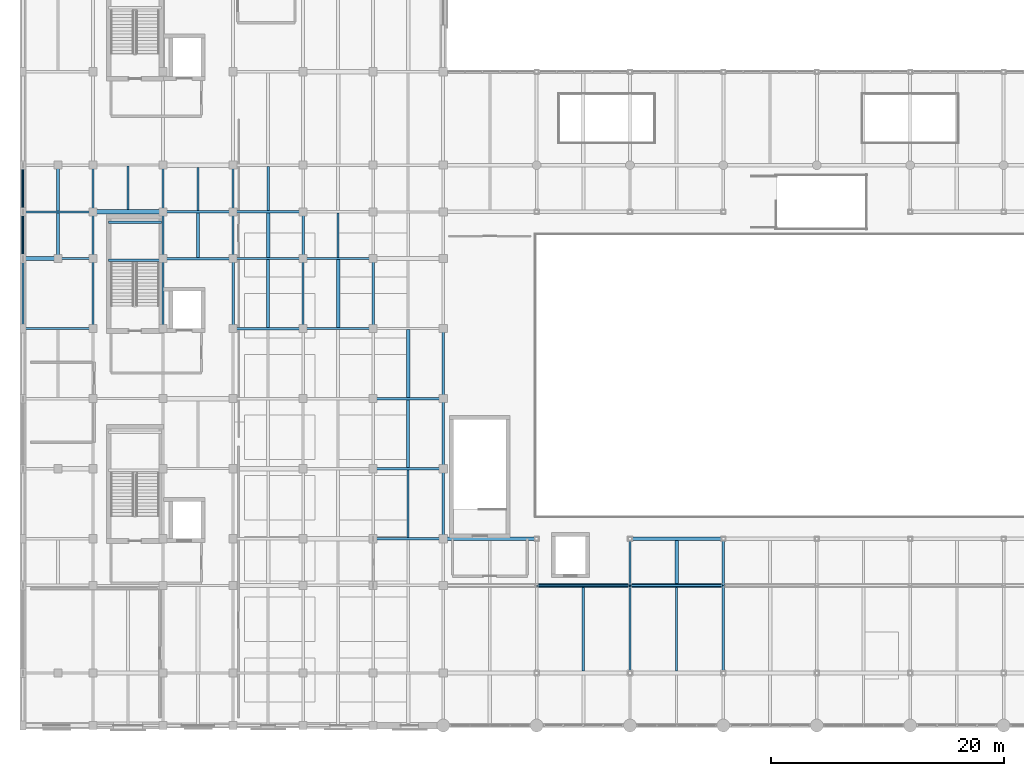
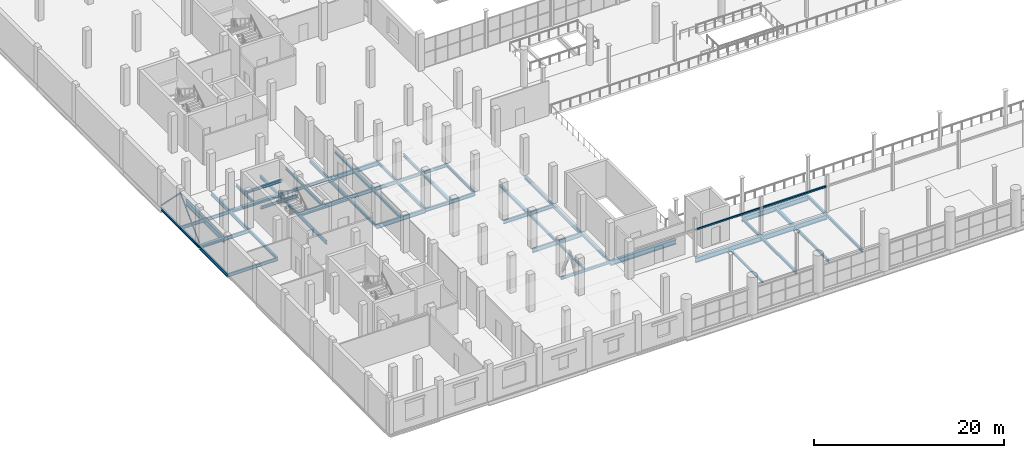
# One storey, part 19 of 114: 60 beams, 2 members.
"""IFC4 building model written with IfcOpenShell, lengths in metres."""

from ifc_helpers import new_model, si_unit, direction, frame, origin, origin_2d, place, context, subcontext, project, spatial, hollow_rectangle, hollow_circle, i_section, extrude, material, material_profile, profile_set, type_object, element, save


model = new_model("IFC4")

# Units and contexts
model_context = context("Model", 3, precision=1e-05, world=origin(), true_north=direction((0.0, 1.0)))
body_context = subcontext(model_context, "Body", "Model", "MODEL_VIEW")
ifc_project = project(units=[si_unit("LENGTHUNIT", "METRE"), si_unit("AREAUNIT", "SQUARE_METRE"), si_unit("VOLUMEUNIT", "CUBIC_METRE"), si_unit("PLANEANGLEUNIT", "RADIAN"), si_unit("MASSUNIT", "GRAM", prefix="KILO")], contexts=[model_context])

# Site, building, storey
site_placement = place(None, origin())
site = spatial("IfcSite", under=ifc_project, at=site_placement, CompositionType="ELEMENT")
building_placement = place(site_placement, origin())
building = spatial("IfcBuilding", under=site, at=building_placement, Name="Verrall Gate Interchange", CompositionType="ELEMENT")
storey_placement = place(building_placement, frame((0.0, 0.0, 6.60009765625)))
storey = spatial("IfcBuildingStorey", under=building, at=storey_placement, Name="L02", CompositionType="ELEMENT", Elevation=6.60009765625)

# Beams
ifc_material_1 = material(Name="Structural Steel CSA G40.21 350WT Cat 4", Category="steel")
ifc_material_profile_1 = material_profile(ifc_material_1, i_section(OverallWidth=0.256103515625, OverallDepth=0.693115234375, WebThickness=0.01318359375, FlangeThickness=0.02001953125, FilletRadius=0.01611328125, at=origin_2d()), Name="W690x170")
ifc_profile_set_1 = profile_set([ifc_material_profile_1], Name="Structural Steel CSA G40.21 350WT Cat 4")
beam_type_1 = type_object("IfcBeamType", Name="B-07 Structural Beam W690x170", PredefinedType="BEAM", material=ifc_profile_set_1)
beam_1_placement = place(storey_placement, frame((3.0, 40.0, -0.626708984375), z_axis=(0.0, 1.0, 0.0), x_axis=(-1.0, 0.0, 0.0)))
element("IfcBeam", 1, at=beam_1_placement, inside=storey, type_object=beam_type_1, Name="L02 Girder BM-L02-1647 (B-07)", PredefinedType="BEAM", context=body_context, shape_type="SweptSolid", body=[
    extrude(i_section(OverallWidth=0.256103515625, OverallDepth=0.693115234375, WebThickness=0.01318359375, FlangeThickness=0.02001953125, FilletRadius=0.01611328125, at=origin_2d()), origin(), (0.0, 0.0, 1.0), 8.0),
])
ifc_material_2 = material(Name="Structural Steel CSA G40.21 350WT Cat 4", Category="steel")
ifc_material_profile_2 = material_profile(ifc_material_2, i_section(OverallWidth=0.323974609375, OverallDepth=0.611083984375, WebThickness=0.0126953125, FlangeThickness=0.01904296875, FilletRadius=0.014892578125, at=origin_2d()), Name="W610x155")
ifc_profile_set_2 = profile_set([ifc_material_profile_2], Name="Structural Steel CSA G40.21 350WT Cat 4")
beam_type_2 = type_object("IfcBeamType", Name="B-08 Structural Beam W610x155", PredefinedType="BEAM", material=ifc_profile_set_2)
for number, where, z_axis, x_axis, name in (
    (2, (44.0, 12.0, -0.585693359375), (1.0, 0.0, 0.0), (0.0, 1.0, 0.0), "L02 Girder BM-L02-1473 (B-08)"),
    (3, (52.0, 12.0, -0.585693359375), (1.0, 0.0, 0.0), (0.0, 1.0, 0.0), "L02 Girder BM-L02-1474 (B-08)"),
    (4, (36.0, 16.0, -0.585693359375), (1.0, 0.0, 0.0), (0.0, 1.0, 0.0), "L02 Girder BM-L02-1491 (B-08)"),
    (5, (52.0, 16.0, -0.585693359375), (1.0, 0.0, 0.0), (0.0, 1.0, 0.0), "L02 Girder BM-L02-1492 (B-08)"),
):
    element("IfcBeam", number, at=place(storey_placement, frame(where, z_axis=z_axis, x_axis=x_axis)), inside=storey, type_object=beam_type_2, Name=name, PredefinedType="BEAM", context=body_context, shape_type="SweptSolid", body=[
        extrude(i_section(OverallWidth=0.323974609375, OverallDepth=0.611083984375, WebThickness=0.0126953125, FlangeThickness=0.01904296875, FilletRadius=0.014892578125, at=origin_2d()), origin(), (0.0, 0.0, 1.0), 8.0),
    ])
ifc_material_3 = material(Name="Structural Steel CSA G40.21 350W", Category="steel")
ifc_material_profile_3 = material_profile(ifc_material_3, i_section(OverallWidth=0.2109375, OverallDepth=0.5390625, WebThickness=0.01171875, FlangeThickness=0.018798828125, FilletRadius=0.013916015625, at=origin_2d()), Name="W530x109")
ifc_profile_set_3 = profile_set([ifc_material_profile_3], Name="Structural Steel CSA G40.21 350W")
beam_type_3 = type_object("IfcBeamType", Name="B-10 Structural Beam W530x109", PredefinedType="BEAM", material=ifc_profile_set_3)
for number, where, z_axis, x_axis, name in (
    (6, (30.0, 22.0, -0.549560546875), (1.0, 0.0, 0.0), (0.0, 1.0, 0.0), "L02 Girder BM-L02-1509 (B-10)"),
    (7, (18.0, 34.0, -0.549560546875), (1.0, 0.0, 0.0), (0.0, 1.0, 0.0), "L02 Girder BM-L02-1527 (B-10)"),
    (8, (12.0, 40.0, -0.549560546875), (1.0, 0.0, 0.0), (0.0, 1.0, 0.0), "L02 Girder BM-L02-1536 (B-10)"),
    (9, (18.0, 44.0, -0.549560546875), (1.0, 0.0, 0.0), (0.0, 1.0, 0.0), "L02 Girder BM-L02-1548 (B-10)"),
):
    element("IfcBeam", number, at=place(storey_placement, frame(where, z_axis=z_axis, x_axis=x_axis)), inside=storey, type_object=beam_type_3, Name=name, PredefinedType="BEAM", context=body_context, shape_type="SweptSolid", body=[
        extrude(i_section(OverallWidth=0.2109375, OverallDepth=0.5390625, WebThickness=0.01171875, FlangeThickness=0.018798828125, FilletRadius=0.013916015625, at=origin_2d()), origin(), (0.0, 0.0, 1.0), 6.0),
    ])
ifc_material_4 = material(Name="Structural Steel CSA G40.21 350W", Category="steel")
ifc_material_profile_4 = material_profile(ifc_material_4, i_section(OverallWidth=0.19189453125, OverallDepth=0.462890625, WebThickness=0.010498046875, FlangeThickness=0.017578125, FilletRadius=0.012939453125, at=origin_2d()), Name="W460x89")
ifc_profile_set_4 = profile_set([ifc_material_profile_4], Name="Structural Steel CSA G40.21 350W")
beam_type_4 = type_object("IfcBeamType", Name="B-11 Structural Beam W460x89", PredefinedType="BEAM", material=ifc_profile_set_4)
for number, where, z_axis, x_axis, name in (
    (10, (30.0, 28.0, -0.51171875), (1.0, 0.0, 0.0), (0.0, 1.0, 0.0), "L02 Girder BM-L02-1520 (B-11)"),
    (11, (24.0, 34.0, -0.51171875), (1.0, 0.0, 0.0), (0.0, 1.0, 0.0), "L02 Girder BM-L02-1528 (B-11)"),
):
    element("IfcBeam", number, at=place(storey_placement, frame(where, z_axis=z_axis, x_axis=x_axis)), inside=storey, type_object=beam_type_4, Name=name, PredefinedType="BEAM", context=body_context, shape_type="SweptSolid", body=[
        extrude(i_section(OverallWidth=0.19189453125, OverallDepth=0.462890625, WebThickness=0.010498046875, FlangeThickness=0.017578125, FilletRadius=0.012939453125, at=origin_2d()), origin(), (0.0, 0.0, 1.0), 6.0),
    ])
beam_2_placement = place(storey_placement, frame((3.0, 40.0, -0.51171875), z_axis=(1.0, 0.0, 0.0), x_axis=(0.0, 1.0, 0.0)))
element("IfcBeam", 12, at=beam_2_placement, inside=storey, type_object=beam_type_4, Name="L02 Girder BM-L02-1535 (B-11)", PredefinedType="BEAM", context=body_context, shape_type="SweptSolid", body=[
    extrude(i_section(OverallWidth=0.19189453125, OverallDepth=0.462890625, WebThickness=0.010498046875, FlangeThickness=0.017578125, FilletRadius=0.012939453125, at=origin_2d()), origin(), (0.0, 0.0, 1.0), 3.0),
])
for number, where, z_axis, x_axis, name in (
    (13, (18.0, 40.0, -0.51171875), (1.0, 0.0, 0.0), (0.0, 1.0, 0.0), "L02 Girder BM-L02-1537 (B-11)"),
    (14, (0.0, 34.0, -0.51171875), (0.0, 1.0, 0.0), (-1.0, 0.0, 0.0), "L02 Girder BM-L02-1639 (B-11)"),
):
    element("IfcBeam", number, at=place(storey_placement, frame(where, z_axis=z_axis, x_axis=x_axis)), inside=storey, type_object=beam_type_4, Name=name, PredefinedType="BEAM", context=body_context, shape_type="SweptSolid", body=[
        extrude(i_section(OverallWidth=0.19189453125, OverallDepth=0.462890625, WebThickness=0.010498046875, FlangeThickness=0.017578125, FilletRadius=0.012939453125, at=origin_2d()), origin(), (0.0, 0.0, 1.0), 6.0),
    ])
for number, where, z_axis, x_axis, name in (
    (15, (6.0, 40.0, -0.51171875), (0.0, 1.0, 0.0), (-1.0, 0.0, 0.0), "L02 Girder BM-L02-1655 (B-11)"),
    (16, (6.0, 44.0, -0.51171875), (0.0, 1.0, 0.0), (-1.0, 0.0, 0.0), "L02 Girder BM-L02-1656 (B-11)"),
):
    element("IfcBeam", number, at=place(storey_placement, frame(where, z_axis=z_axis, x_axis=x_axis)), inside=storey, type_object=beam_type_4, Name=name, PredefinedType="BEAM", context=body_context, shape_type="SweptSolid", body=[
        extrude(i_section(OverallWidth=0.19189453125, OverallDepth=0.462890625, WebThickness=0.010498046875, FlangeThickness=0.017578125, FilletRadius=0.012939453125, at=origin_2d()), origin(), (0.0, 0.0, 1.0), 4.0),
    ])
beam_3_placement = place(storey_placement, frame((12.0, 34.0, -0.51171875), z_axis=(0.0, 1.0, 0.0), x_axis=(-1.0, 0.0, 0.0)))
element("IfcBeam", 17, at=beam_3_placement, inside=storey, type_object=beam_type_4, Name="L02 Girder BM-L02-1668 (B-11)", PredefinedType="BEAM", context=body_context, shape_type="SweptSolid", body=[
    extrude(i_section(OverallWidth=0.19189453125, OverallDepth=0.462890625, WebThickness=0.010498046875, FlangeThickness=0.017578125, FilletRadius=0.012939453125, at=origin_2d()), origin(), (0.0, 0.0, 1.0), 6.0),
])
for number, where, z_axis, x_axis, name in (
    (18, (18.0, 40.0, -0.51171875), (0.0, 1.0, 0.0), (-1.0, 0.0, 0.0), "L02 Girder BM-L02-1683 (B-11)"),
    (19, (18.0, 44.0, -0.51171875), (0.0, 1.0, 0.0), (-1.0, 0.0, 0.0), "L02 Girder BM-L02-1684 (B-11)"),
):
    element("IfcBeam", number, at=place(storey_placement, frame(where, z_axis=z_axis, x_axis=x_axis)), inside=storey, type_object=beam_type_4, Name=name, PredefinedType="BEAM", context=body_context, shape_type="SweptSolid", body=[
        extrude(i_section(OverallWidth=0.19189453125, OverallDepth=0.462890625, WebThickness=0.010498046875, FlangeThickness=0.017578125, FilletRadius=0.012939453125, at=origin_2d()), origin(), (0.0, 0.0, 1.0), 4.0),
    ])
for number, where, z_axis, x_axis, name in (
    (20, (24.0, 34.0, -0.51171875), (0.0, 1.0, 0.0), (-1.0, 0.0, 0.0), "L02 Girder BM-L02-1696 (B-11)"),
    (21, (36.0, 22.0, -0.51171875), (0.0, 1.0, 0.0), (-1.0, 0.0, 0.0), "L02 Girder BM-L02-1722 (B-11)"),
):
    element("IfcBeam", number, at=place(storey_placement, frame(where, z_axis=z_axis, x_axis=x_axis)), inside=storey, type_object=beam_type_4, Name=name, PredefinedType="BEAM", context=body_context, shape_type="SweptSolid", body=[
        extrude(i_section(OverallWidth=0.19189453125, OverallDepth=0.462890625, WebThickness=0.010498046875, FlangeThickness=0.017578125, FilletRadius=0.012939453125, at=origin_2d()), origin(), (0.0, 0.0, 1.0), 6.0),
    ])
ifc_material_5 = material(Name="Structural Steel CSA G40.21 350W", Category="steel")
ifc_material_profile_5 = material_profile(ifc_material_5, i_section(OverallWidth=0.178955078125, OverallDepth=0.409912109375, WebThickness=0.0087890625, FlangeThickness=0.014404296875, FilletRadius=0.011962890625, at=origin_2d()), Name="W410x67")
ifc_profile_set_5 = profile_set([ifc_material_profile_5], Name="Structural Steel CSA G40.21 350W")
beam_type_5 = type_object("IfcBeamType", Name="B-12 Structural Beam W410x67", PredefinedType="BEAM", material=ifc_profile_set_5)
for number, where, z_axis, x_axis, name in (
    (22, (0.0, 34.0, -0.485107421875), (1.0, 0.0, 0.0), (0.0, 1.0, 0.0), "L02 Girder BM-L02-1526 (B-12)"),
    (23, (24.0, 40.0, -0.485107421875), (1.0, 0.0, 0.0), (0.0, 1.0, 0.0), "L02 Girder BM-L02-1538 (B-12)"),
    (24, (0.0, 44.0, -0.485107421875), (1.0, 0.0, 0.0), (0.0, 1.0, 0.0), "L02 Girder BM-L02-1545 (B-12)"),
):
    element("IfcBeam", number, at=place(storey_placement, frame(where, z_axis=z_axis, x_axis=x_axis)), inside=storey, type_object=beam_type_5, Name=name, PredefinedType="BEAM", context=body_context, shape_type="SweptSolid", body=[
        extrude(i_section(OverallWidth=0.178955078125, OverallDepth=0.409912109375, WebThickness=0.0087890625, FlangeThickness=0.014404296875, FilletRadius=0.011962890625, at=origin_2d()), origin(), (0.0, 0.0, 1.0), 6.0),
    ])
ifc_material_6 = material(Name="Structural Steel CSA G40.21 350W", Category="steel")
ifc_material_profile_6 = material_profile(ifc_material_6, i_section(OverallWidth=0.368896484375, OverallDepth=0.35595703125, WebThickness=0.01123046875, FlangeThickness=0.01806640625, FilletRadius=0.014892578125, at=origin_2d()), Name="W360x134")
ifc_profile_set_6 = profile_set([ifc_material_profile_6], Name="Structural Steel CSA G40.21 350W")
beam_type_6 = type_object("IfcBeamType", Name="B-13 Structural Beam W360x134", PredefinedType="BEAM", material=ifc_profile_set_6)
beam_4_placement = place(storey_placement, frame((0.0, 40.0, -0.4580078125), z_axis=(1.0, 0.0, 0.0), x_axis=(0.0, 1.0, 0.0)))
element("IfcBeam", 25, at=beam_4_placement, inside=storey, type_object=beam_type_6, Name="L02 Girder BM-L02-1534 (B-13)", PredefinedType="BEAM", context=body_context, shape_type="SweptSolid", body=[
    extrude(i_section(OverallWidth=0.368896484375, OverallDepth=0.35595703125, WebThickness=0.01123046875, FlangeThickness=0.01806640625, FilletRadius=0.014892578125, at=origin_2d()), origin(), (0.0, 0.0, 1.0), 3.0),
])
beam_5_placement = place(storey_placement, frame((6.0, 44.0, -0.4580078125), z_axis=(1.0, 0.0, 0.0), x_axis=(0.0, 1.0, 0.0)))
element("IfcBeam", 26, at=beam_5_placement, inside=storey, type_object=beam_type_6, Name="L02 Girder BM-L02-1546 (B-13)", PredefinedType="BEAM", context=body_context, shape_type="SweptSolid", body=[
    extrude(i_section(OverallWidth=0.368896484375, OverallDepth=0.35595703125, WebThickness=0.01123046875, FlangeThickness=0.01806640625, FilletRadius=0.014892578125, at=origin_2d()), origin(), (0.0, 0.0, 1.0), 6.0),
])
ifc_material_7 = material(Name="Structural Steel CSA G40.21 350W", Category="steel")
ifc_material_profile_7 = material_profile(ifc_material_7, i_section(OverallWidth=0.205078125, OverallDepth=0.35400390625, WebThickness=0.009521484375, FlangeThickness=0.016845703125, FilletRadius=0.012939453125, at=origin_2d()), Name="W360x79")
ifc_profile_set_7 = profile_set([ifc_material_profile_7], Name="Structural Steel CSA G40.21 350W")
beam_type_7 = type_object("IfcBeamType", Name="B-14 Structural Beam W360x79", PredefinedType="BEAM", material=ifc_profile_set_7)
for number, where, z_axis, x_axis, name in (
    (27, (30.0, 16.0, -0.45703125), (1.0, 0.0, 0.0), (0.0, 1.0, 0.0), "L02 Girder BM-L02-1490 (B-14)"),
    (28, (12.0, 44.0, -0.45703125), (1.0, 0.0, 0.0), (0.0, 1.0, 0.0), "L02 Girder BM-L02-1547 (B-14)"),
):
    element("IfcBeam", number, at=place(storey_placement, frame(where, z_axis=z_axis, x_axis=x_axis)), inside=storey, type_object=beam_type_7, Name=name, PredefinedType="BEAM", context=body_context, shape_type="SweptSolid", body=[
        extrude(i_section(OverallWidth=0.205078125, OverallDepth=0.35400390625, WebThickness=0.009521484375, FlangeThickness=0.016845703125, FilletRadius=0.012939453125, at=origin_2d()), origin(), (0.0, 0.0, 1.0), 6.0),
    ])
for number, where, z_axis, x_axis, name in (
    (29, (0.0, 40.0, -0.45703125), (0.0, 1.0, 0.0), (-1.0, 0.0, 0.0), "L02 Girder BM-L02-1640 (B-14)"),
    (30, (0.0, 44.0, -0.45703125), (0.0, 1.0, 0.0), (-1.0, 0.0, 0.0), "L02 Girder BM-L02-1641 (B-14)"),
):
    element("IfcBeam", number, at=place(storey_placement, frame(where, z_axis=z_axis, x_axis=x_axis)), inside=storey, type_object=beam_type_7, Name=name, PredefinedType="BEAM", context=body_context, shape_type="SweptSolid", body=[
        extrude(i_section(OverallWidth=0.205078125, OverallDepth=0.35400390625, WebThickness=0.009521484375, FlangeThickness=0.016845703125, FilletRadius=0.012939453125, at=origin_2d()), origin(), (0.0, 0.0, 1.0), 4.0),
    ])
beam_6_placement = place(storey_placement, frame((6.0, 34.0, -0.45703125), z_axis=(0.0, 1.0, 0.0), x_axis=(-1.0, 0.0, 0.0)))
element("IfcBeam", 31, at=beam_6_placement, inside=storey, type_object=beam_type_7, Name="L02 Girder BM-L02-1654 (B-14)", PredefinedType="BEAM", context=body_context, shape_type="SweptSolid", body=[
    extrude(i_section(OverallWidth=0.205078125, OverallDepth=0.35400390625, WebThickness=0.009521484375, FlangeThickness=0.016845703125, FilletRadius=0.012939453125, at=origin_2d()), origin(), (0.0, 0.0, 1.0), 6.0),
])
for number, where, z_axis, x_axis, name in (
    (32, (12.0, 40.0, -0.45703125), (0.0, 1.0, 0.0), (-1.0, 0.0, 0.0), "L02 Girder BM-L02-1669 (B-14)"),
    (33, (12.0, 44.0, -0.45703125), (0.0, 1.0, 0.0), (-1.0, 0.0, 0.0), "L02 Girder BM-L02-1670 (B-14)"),
):
    element("IfcBeam", number, at=place(storey_placement, frame(where, z_axis=z_axis, x_axis=x_axis)), inside=storey, type_object=beam_type_7, Name=name, PredefinedType="BEAM", context=body_context, shape_type="SweptSolid", body=[
        extrude(i_section(OverallWidth=0.205078125, OverallDepth=0.35400390625, WebThickness=0.009521484375, FlangeThickness=0.016845703125, FilletRadius=0.012939453125, at=origin_2d()), origin(), (0.0, 0.0, 1.0), 4.0),
    ])
beam_7_placement = place(storey_placement, frame((18.0, 34.0, -0.45703125), z_axis=(0.0, 1.0, 0.0), x_axis=(-1.0, 0.0, 0.0)))
element("IfcBeam", 34, at=beam_7_placement, inside=storey, type_object=beam_type_7, Name="L02 Girder BM-L02-1682 (B-14)", PredefinedType="BEAM", context=body_context, shape_type="SweptSolid", body=[
    extrude(i_section(OverallWidth=0.205078125, OverallDepth=0.35400390625, WebThickness=0.009521484375, FlangeThickness=0.016845703125, FilletRadius=0.012939453125, at=origin_2d()), origin(), (0.0, 0.0, 1.0), 6.0),
])
beam_8_placement = place(storey_placement, frame((24.0, 40.0, -0.45703125), z_axis=(0.0, 1.0, 0.0), x_axis=(-1.0, 0.0, 0.0)))
element("IfcBeam", 35, at=beam_8_placement, inside=storey, type_object=beam_type_7, Name="L02 Girder BM-L02-1697 (B-14)", PredefinedType="BEAM", context=body_context, shape_type="SweptSolid", body=[
    extrude(i_section(OverallWidth=0.205078125, OverallDepth=0.35400390625, WebThickness=0.009521484375, FlangeThickness=0.016845703125, FilletRadius=0.012939453125, at=origin_2d()), origin(), (0.0, 0.0, 1.0), 4.0),
])
for number, where, z_axis, x_axis, name in (
    (36, (30.0, 34.0, -0.45703125), (0.0, 1.0, 0.0), (-1.0, 0.0, 0.0), "L02 Girder BM-L02-1710 (B-14)"),
    (37, (36.0, 16.0, -0.45703125), (0.0, 1.0, 0.0), (-1.0, 0.0, 0.0), "L02 Girder BM-L02-1721 (B-14)"),
    (38, (36.0, 28.0, -0.45703125), (0.0, 1.0, 0.0), (-1.0, 0.0, 0.0), "L02 Girder BM-L02-1723 (B-14)"),
):
    element("IfcBeam", number, at=place(storey_placement, frame(where, z_axis=z_axis, x_axis=x_axis)), inside=storey, type_object=beam_type_7, Name=name, PredefinedType="BEAM", context=body_context, shape_type="SweptSolid", body=[
        extrude(i_section(OverallWidth=0.205078125, OverallDepth=0.35400390625, WebThickness=0.009521484375, FlangeThickness=0.016845703125, FilletRadius=0.012939453125, at=origin_2d()), origin(), (0.0, 0.0, 1.0), 6.0),
    ])
beam_9_placement = place(storey_placement, frame((52.0, 4.5, -0.45703125), z_axis=(0.0, 1.0, 0.0), x_axis=(-1.0, 0.0, 0.0)))
element("IfcBeam", 39, at=beam_9_placement, inside=storey, type_object=beam_type_7, Name="L02 Girder BM-L02-1738 (B-14)", PredefinedType="BEAM", context=body_context, shape_type="SweptSolid", body=[
    extrude(i_section(OverallWidth=0.205078125, OverallDepth=0.35400390625, WebThickness=0.009521484375, FlangeThickness=0.016845703125, FilletRadius=0.012939453125, at=origin_2d()), origin(), (0.0, 0.0, 1.0), 7.5),
])
beam_10_placement = place(storey_placement, frame((52.0, 12.0, -0.45703125), z_axis=(0.0, 1.0, 0.0), x_axis=(-1.0, 0.0, 0.0)))
element("IfcBeam", 40, at=beam_10_placement, inside=storey, type_object=beam_type_7, Name="L02 Girder BM-L02-1739 (B-14)", PredefinedType="BEAM", context=body_context, shape_type="SweptSolid", body=[
    extrude(i_section(OverallWidth=0.205078125, OverallDepth=0.35400390625, WebThickness=0.009521484375, FlangeThickness=0.016845703125, FilletRadius=0.012939453125, at=origin_2d()), origin(), (0.0, 0.0, 1.0), 4.0),
])
beam_11_placement = place(storey_placement, frame((60.0, 4.5, -0.45703125), z_axis=(0.0, 1.0, 0.0), x_axis=(-1.0, 0.0, 0.0)))
element("IfcBeam", 41, at=beam_11_placement, inside=storey, type_object=beam_type_7, Name="L02 Girder BM-L02-1743 (B-14)", PredefinedType="BEAM", context=body_context, shape_type="SweptSolid", body=[
    extrude(i_section(OverallWidth=0.205078125, OverallDepth=0.35400390625, WebThickness=0.009521484375, FlangeThickness=0.016845703125, FilletRadius=0.012939453125, at=origin_2d()), origin(), (0.0, 0.0, 1.0), 7.5),
])
beam_12_placement = place(storey_placement, frame((60.0, 12.0, -0.45703125), z_axis=(0.0, 1.0, 0.0), x_axis=(-1.0, 0.0, 0.0)))
element("IfcBeam", 42, at=beam_12_placement, inside=storey, type_object=beam_type_7, Name="L02 Girder BM-L02-1744 (B-14)", PredefinedType="BEAM", context=body_context, shape_type="SweptSolid", body=[
    extrude(i_section(OverallWidth=0.205078125, OverallDepth=0.35400390625, WebThickness=0.009521484375, FlangeThickness=0.016845703125, FilletRadius=0.012939453125, at=origin_2d()), origin(), (0.0, 0.0, 1.0), 4.0),
])
for number, where, z_axis, x_axis, name in (
    (43, (7.35009765625, 39.8701171875, 2.02978515625), (1.0, 0.0, 0.0), (0.0, 1.0, 0.0), "L02 Core C2 Mid-Landing Beam 1"),
    (44, (7.35009765625, 43.1201171875, 2.02978515625), (1.0, 0.0, 0.0), (0.0, 1.0, 0.0), "L02 Core C2 Mid-Landing Beam 2"),
):
    element("IfcBeam", number, at=place(storey_placement, frame(where, z_axis=z_axis, x_axis=x_axis)), inside=storey, type_object=beam_type_7, Name=name, PredefinedType="BEAM", context=body_context, shape_type="SweptSolid", body=[
        extrude(i_section(OverallWidth=0.205078125, OverallDepth=0.35400390625, WebThickness=0.009521484375, FlangeThickness=0.016845703125, FilletRadius=0.012939453125, at=origin_2d()), origin(), (0.0, 0.0, 1.0), 4.5),
    ])

# Members
ifc_material_8 = material(Name="Structural Steel CSA G40.21 350W", Category="steel")
ifc_material_profile_8 = material_profile(ifc_material_8, hollow_circle(Radius=0.084228515625, WallThickness=0.00634765625, at=origin_2d()), Name="HSS168x6.4")
ifc_profile_set_8 = profile_set([ifc_material_profile_8], Name="Structural Steel CSA G40.21 350W")
member_type = type_object("IfcMemberType", Name="BR-03 Diagonal Brace HSS168x6.4", PredefinedType="BRACE", material=ifc_profile_set_8)
for number, where, z_axis, x_axis, name in (
    (45, (0.0, 40.0, 0.0), (0.0, 0.705339507421, 0.708869648999), (-1.0, 0.0, 0.0), "Chevron Brace CBF3 L02 Leg A"),
    (46, (0.0, 48.0, 0.0), (0.0, -0.705339507421, 0.708869648999), (1.0, 0.0, 0.0), "Chevron Brace CBF3 L02 Leg B"),
):
    element("IfcMember", number, at=place(storey_placement, frame(where, z_axis=z_axis, x_axis=x_axis)), inside=storey, type_object=member_type, Name=name, PredefinedType="BRACE", context=body_context, shape_type="SweptSolid", body=[
        extrude(hollow_circle(Radius=0.084228515625, WallThickness=0.00634765625, at=origin_2d()), origin(), (0.0, 0.0, 1.0), 5.671142578125),
    ])

# Beams
ifc_material_9 = material(Name="Structural Steel CSA G40.21 350W", Category="steel")
ifc_material_profile_9 = material_profile(ifc_material_9, i_section(OverallWidth=0.172119140625, OverallDepth=0.35791015625, WebThickness=0.0078125, FlangeThickness=0.01318359375, FilletRadius=0.010986328125, at=origin_2d()), Name="W360x57")
ifc_profile_set_9 = profile_set([ifc_material_profile_9], Name="Structural Steel CSA G40.21 350W")
beam_type_8 = type_object("IfcBeamType", Name="J-01 Floor Joist W360x57", PredefinedType="JOIST", material=ifc_profile_set_9)
beam_13_placement = place(storey_placement, frame((56.0, 4.662109375, -0.458984375), z_axis=(0.0, 1.0, 0.0), x_axis=(-1.0, 0.0, 0.0)))
element("IfcBeam", 47, at=beam_13_placement, inside=storey, type_object=beam_type_8, Name="L02 Secondary Floor Joist JST-L02-1860", PredefinedType="JOIST", context=body_context, shape_type="SweptSolid", body=[
    extrude(i_section(OverallWidth=0.172119140625, OverallDepth=0.35791015625, WebThickness=0.0078125, FlangeThickness=0.01318359375, FilletRadius=0.010986328125, at=origin_2d()), origin(), (0.0, 0.0, 1.0), 7.17578125),
])
beam_14_placement = place(storey_placement, frame((27.0, 40.089599609375, -0.458984375), z_axis=(0.0, 1.0, 0.0), x_axis=(-1.0, 0.0, 0.0)))
element("IfcBeam", 48, at=beam_14_placement, inside=storey, type_object=beam_type_8, Name="L02 Secondary Floor Joist JST-L02-1916", PredefinedType="JOIST", context=body_context, shape_type="SweptSolid", body=[
    extrude(i_section(OverallWidth=0.172119140625, OverallDepth=0.35791015625, WebThickness=0.0078125, FlangeThickness=0.01318359375, FilletRadius=0.010986328125, at=origin_2d()), origin(), (0.0, 0.0, 1.0), 3.814453125),
])
beam_15_placement = place(storey_placement, frame((9.0, 44.1845703125, -0.458984375), z_axis=(0.0, 1.0, 0.0), x_axis=(-1.0, 0.0, 0.0)))
element("IfcBeam", 49, at=beam_15_placement, inside=storey, type_object=beam_type_8, Name="L02 Secondary Floor Joist JST-L02-1923", PredefinedType="JOIST", context=body_context, shape_type="SweptSolid", body=[
    extrude(i_section(OverallWidth=0.172119140625, OverallDepth=0.35791015625, WebThickness=0.0078125, FlangeThickness=0.01318359375, FilletRadius=0.010986328125, at=origin_2d()), origin(), (0.0, 0.0, 1.0), 3.725830078125),
])
ifc_material_10 = material(Name="Structural Steel CSA G40.21 350W", Category="steel")
ifc_material_profile_10 = material_profile(ifc_material_10, i_section(OverallWidth=0.306884765625, OverallDepth=0.31396484375, WebThickness=0.011962890625, FlangeThickness=0.018798828125, FilletRadius=0.013916015625, at=origin_2d()), Name="W310x118")
ifc_profile_set_10 = profile_set([ifc_material_profile_10], Name="Structural Steel CSA G40.21 350W")
beam_type_9 = type_object("IfcBeamType", Name="J-02 Floor Joist W310x118", PredefinedType="JOIST", material=ifc_profile_set_10)
beam_16_placement = place(storey_placement, frame((56.0, 12.162109375, -0.43701171875), z_axis=(0.0, 1.0, 0.0), x_axis=(-1.0, 0.0, 0.0)))
element("IfcBeam", 50, at=beam_16_placement, inside=storey, type_object=beam_type_9, Name="L02 Secondary Floor Joist JST-L02-1872", PredefinedType="JOIST", context=body_context, shape_type="SweptSolid", body=[
    extrude(i_section(OverallWidth=0.306884765625, OverallDepth=0.31396484375, WebThickness=0.011962890625, FlangeThickness=0.018798828125, FilletRadius=0.013916015625, at=origin_2d()), origin(), (0.0, 0.0, 1.0), 3.67578125),
])
for number, where, z_axis, x_axis, name in (
    (51, (33.0, 28.095947265625, -0.43701171875), (0.0, 1.0, 0.0), (-1.0, 0.0, 0.0), "L02 Secondary Floor Joist JST-L02-1903"),
    (52, (27.0, 34.095947265625, -0.43701171875), (0.0, 1.0, 0.0), (-1.0, 0.0, 0.0), "L02 Secondary Floor Joist JST-L02-1908"),
):
    element("IfcBeam", number, at=place(storey_placement, frame(where, z_axis=z_axis, x_axis=x_axis)), inside=storey, type_object=beam_type_9, Name=name, PredefinedType="JOIST", context=body_context, shape_type="SweptSolid", body=[
        extrude(i_section(OverallWidth=0.306884765625, OverallDepth=0.31396484375, WebThickness=0.011962890625, FlangeThickness=0.018798828125, FilletRadius=0.013916015625, at=origin_2d()), origin(), (0.0, 0.0, 1.0), 5.814453125),
    ])
beam_17_placement = place(storey_placement, frame((21.0, 40.095947265625, -0.43701171875), z_axis=(0.0, 1.0, 0.0), x_axis=(-1.0, 0.0, 0.0)))
element("IfcBeam", 53, at=beam_17_placement, inside=storey, type_object=beam_type_9, Name="L02 Secondary Floor Joist JST-L02-1915", PredefinedType="JOIST", context=body_context, shape_type="SweptSolid", body=[
    extrude(i_section(OverallWidth=0.306884765625, OverallDepth=0.31396484375, WebThickness=0.011962890625, FlangeThickness=0.018798828125, FilletRadius=0.013916015625, at=origin_2d()), origin(), (0.0, 0.0, 1.0), 3.798583984375),
])
ifc_material_11 = material(Name="Structural Steel CSA G40.21 350W", Category="steel")
ifc_material_profile_11 = material_profile(ifc_material_11, i_section(OverallWidth=0.25390625, OverallDepth=0.305908203125, WebThickness=0.0087890625, FlangeThickness=0.0146484375, FilletRadius=0.012939453125, at=origin_2d()), Name="W310x79")
ifc_profile_set_11 = profile_set([ifc_material_profile_11], Name="Structural Steel CSA G40.21 350W")
beam_type_10 = type_object("IfcBeamType", Name="J-03 Floor Joist W310x79", PredefinedType="JOIST", material=ifc_profile_set_11)
for number, where, z_axis, x_axis, name in (
    (54, (33.0, 22.10546875, -0.43310546875), (0.0, 1.0, 0.0), (-1.0, 0.0, 0.0), "L02 Secondary Floor Joist JST-L02-1894"),
    (55, (21.0, 34.10546875, -0.43310546875), (0.0, 1.0, 0.0), (-1.0, 0.0, 0.0), "L02 Secondary Floor Joist JST-L02-1907"),
):
    element("IfcBeam", number, at=place(storey_placement, frame(where, z_axis=z_axis, x_axis=x_axis)), inside=storey, type_object=beam_type_10, Name=name, PredefinedType="JOIST", context=body_context, shape_type="SweptSolid", body=[
        extrude(i_section(OverallWidth=0.25390625, OverallDepth=0.305908203125, WebThickness=0.0087890625, FlangeThickness=0.0146484375, FilletRadius=0.012939453125, at=origin_2d()), origin(), (0.0, 0.0, 1.0), 5.798583984375),
    ])
beam_18_placement = place(storey_placement, frame((15.0, 40.10546875, -0.43310546875), z_axis=(0.0, 1.0, 0.0), x_axis=(-1.0, 0.0, 0.0)))
element("IfcBeam", 56, at=beam_18_placement, inside=storey, type_object=beam_type_10, Name="L02 Secondary Floor Joist JST-L02-1914", PredefinedType="JOIST", context=body_context, shape_type="SweptSolid", body=[
    extrude(i_section(OverallWidth=0.25390625, OverallDepth=0.305908203125, WebThickness=0.0087890625, FlangeThickness=0.0146484375, FilletRadius=0.012939453125, at=origin_2d()), origin(), (0.0, 0.0, 1.0), 3.7919921875),
])
ifc_material_12 = material(Name="Structural Steel CSA G40.21 350W", Category="steel")
ifc_material_profile_12 = material_profile(ifc_material_12, i_section(OverallWidth=0.1650390625, OverallDepth=0.31005859375, WebThickness=0.005859375, FlangeThickness=0.009765625, FilletRadius=0.010009765625, at=origin_2d()), Name="W310x39")
ifc_profile_set_12 = profile_set([ifc_material_profile_12], Name="Structural Steel CSA G40.21 350W")
beam_type_11 = type_object("IfcBeamType", Name="J-04 Floor Joist W310x39", PredefinedType="JOIST", material=ifc_profile_set_12)
beam_19_placement = place(storey_placement, frame((33.0, 16.1025390625, -0.43505859375), z_axis=(0.0, 1.0, 0.0), x_axis=(-1.0, 0.0, 0.0)))
element("IfcBeam", 57, at=beam_19_placement, inside=storey, type_object=beam_type_11, Name="L02 Secondary Floor Joist JST-L02-1886", PredefinedType="JOIST", context=body_context, shape_type="SweptSolid", body=[
    extrude(i_section(OverallWidth=0.1650390625, OverallDepth=0.31005859375, WebThickness=0.005859375, FlangeThickness=0.009765625, FilletRadius=0.010009765625, at=origin_2d()), origin(), (0.0, 0.0, 1.0), 5.7919921875),
])
ifc_material_13 = material(Name="Structural Steel CSA G40.21 350W", Category="steel")
ifc_material_profile_13 = material_profile(ifc_material_13, i_section(OverallWidth=0.201904296875, OverallDepth=0.2470703125, WebThickness=0.00732421875, FlangeThickness=0.010986328125, FilletRadius=0.010986328125, at=origin_2d()), Name="W250x49")
ifc_profile_set_13 = profile_set([ifc_material_profile_13], Name="Structural Steel CSA G40.21 350W")
beam_type_12 = type_object("IfcBeamType", Name="J-06 Floor Joist W250x49", PredefinedType="JOIST", material=ifc_profile_set_13)
beam_20_placement = place(storey_placement, frame((21.0, 44.10546875, -0.403564453125), z_axis=(0.0, 1.0, 0.0), x_axis=(-1.0, 0.0, 0.0)))
element("IfcBeam", 58, at=beam_20_placement, inside=storey, type_object=beam_type_12, Name="L02 Secondary Floor Joist JST-L02-1925", PredefinedType="JOIST", context=body_context, shape_type="SweptSolid", body=[
    extrude(i_section(OverallWidth=0.201904296875, OverallDepth=0.2470703125, WebThickness=0.00732421875, FlangeThickness=0.010986328125, FilletRadius=0.010986328125, at=origin_2d()), origin(), (0.0, 0.0, 1.0), 3.7919921875),
])
ifc_material_14 = material(Name="Structural Steel CSA G40.21 350W", Category="steel")
ifc_material_profile_14 = material_profile(ifc_material_14, i_section(OverallWidth=0.202880859375, OverallDepth=0.202880859375, WebThickness=0.007080078125, FlangeThickness=0.010986328125, FilletRadius=0.010009765625, at=origin_2d()), Name="W200x46")
ifc_profile_set_14 = profile_set([ifc_material_profile_14], Name="Structural Steel CSA G40.21 350W")
beam_type_13 = type_object("IfcBeamType", Name="J-07 Floor Joist W200x46", PredefinedType="JOIST", material=ifc_profile_set_14)
beam_21_placement = place(storey_placement, frame((48.0, 4.662109375, -0.381591796875), z_axis=(0.0, 1.0, 0.0), x_axis=(-1.0, 0.0, 0.0)))
element("IfcBeam", 59, at=beam_21_placement, inside=storey, type_object=beam_type_13, Name="L02 Secondary Floor Joist JST-L02-1859", PredefinedType="JOIST", context=body_context, shape_type="SweptSolid", body=[
    extrude(i_section(OverallWidth=0.202880859375, OverallDepth=0.202880859375, WebThickness=0.007080078125, FlangeThickness=0.010986328125, FilletRadius=0.010009765625, at=origin_2d()), origin(), (0.0, 0.0, 1.0), 7.17578125),
])
beam_22_placement = place(storey_placement, frame((15.0, 44.1025390625, -0.381591796875), z_axis=(0.0, 1.0, 0.0), x_axis=(-1.0, 0.0, 0.0)))
element("IfcBeam", 60, at=beam_22_placement, inside=storey, type_object=beam_type_13, Name="L02 Secondary Floor Joist JST-L02-1924", PredefinedType="JOIST", context=body_context, shape_type="SweptSolid", body=[
    extrude(i_section(OverallWidth=0.202880859375, OverallDepth=0.202880859375, WebThickness=0.007080078125, FlangeThickness=0.010986328125, FilletRadius=0.010009765625, at=origin_2d()), origin(), (0.0, 0.0, 1.0), 3.712890625),
])
ifc_material_15 = material(Name="Structural Steel CSA G40.21 350W", Category="steel")
ifc_material_profile_15 = material_profile(ifc_material_15, hollow_rectangle(XDim=0.152099609375, YDim=0.202880859375, WallThickness=0.008056640625, InnerFilletRadius=0.008056640625, OuterFilletRadius=0.015869140625, at=origin_2d()), Name="HSS203x152x8.0")
ifc_profile_set_15 = profile_set([ifc_material_profile_15], Name="Structural Steel CSA G40.21 350W")
beam_type_14 = type_object("IfcBeamType", Name="LN-02 Portal Lintel HSS203x152x8.0", PredefinedType="LINTEL", material=ifc_profile_set_15)
beam_23_placement = place(storey_placement, frame((44.0, 12.0, 3.2998046875), z_axis=(1.0, 0.0, 0.0), x_axis=(0.0, 1.0, 0.0)))
element("IfcBeam", 61, at=beam_23_placement, inside=storey, type_object=beam_type_14, Name="Classical Portal Lintel 022", PredefinedType="LINTEL", context=body_context, shape_type="SweptSolid", body=[
    extrude(hollow_rectangle(XDim=0.152099609375, YDim=0.202880859375, WallThickness=0.008056640625, InnerFilletRadius=0.008056640625, OuterFilletRadius=0.015869140625, at=origin_2d()), origin(), (0.0, 0.0, 1.0), 8.0),
])
ifc_material_16 = material(Name="Structural Steel CSA G40.21 350W", Category="steel")
ifc_material_profile_16 = material_profile(ifc_material_16, hollow_rectangle(XDim=0.202880859375, YDim=0.202880859375, WallThickness=0.009521484375, InnerFilletRadius=0.009521484375, OuterFilletRadius=0.01904296875, at=origin_2d()), Name="HSS203x203x9.5")
ifc_profile_set_16 = profile_set([ifc_material_profile_16], Name="Structural Steel CSA G40.21 350W")
beam_type_15 = type_object("IfcBeamType", Name="LN-04 Portal Lintel HSS203x203x9.5", PredefinedType="LINTEL", material=ifc_profile_set_16)
beam_24_placement = place(storey_placement, frame((52.0, 12.0, 3.2998046875), z_axis=(1.0, 0.0, 0.0), x_axis=(0.0, 1.0, 0.0)))
element("IfcBeam", 62, at=beam_24_placement, inside=storey, type_object=beam_type_15, Name="Classical Portal Lintel 024", PredefinedType="LINTEL", context=body_context, shape_type="SweptSolid", body=[
    extrude(hollow_rectangle(XDim=0.202880859375, YDim=0.202880859375, WallThickness=0.009521484375, InnerFilletRadius=0.009521484375, OuterFilletRadius=0.01904296875, at=origin_2d()), origin(), (0.0, 0.0, 1.0), 8.0),
])

save(model, "model.ifc")
